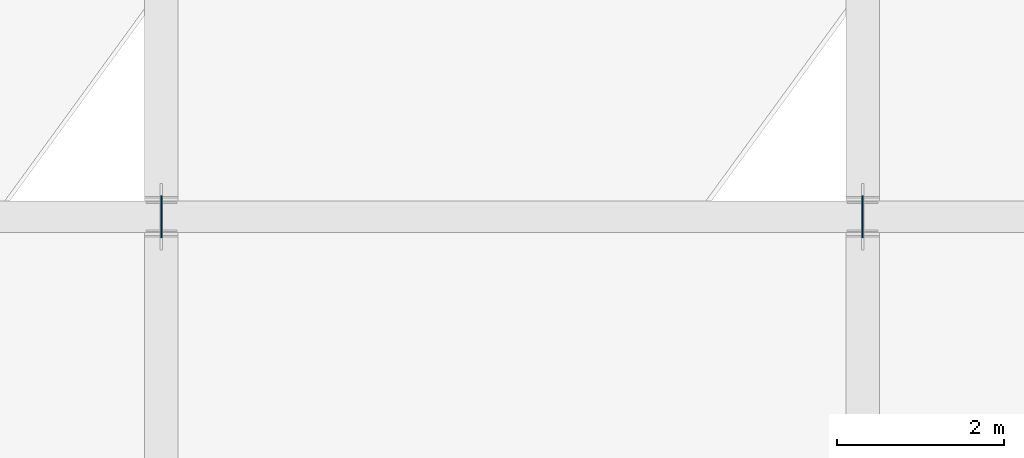
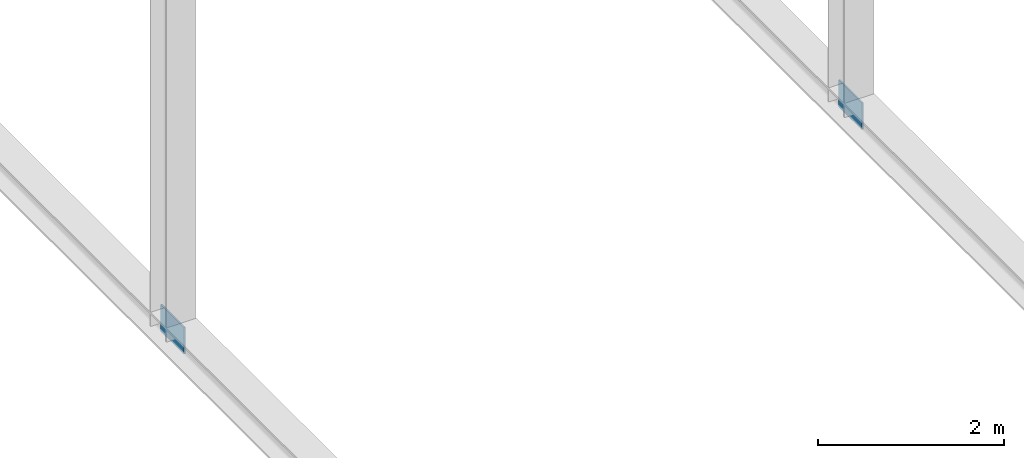
# One storey, part 8 of 13: 2 plates.
"""IFC4 building model written with IfcOpenShell, lengths in metres."""

from ifc_helpers import new_model, si_unit, direction, frame, origin, origin_2d, place, context, subcontext, project, spatial, rectangle, extrude, material, layer, layer_set, type_object, element, save


model = new_model("IFC4")

# Units and contexts
model_context = context("Model", 3, precision=1e-05, world=origin(), true_north=direction((0.0, 1.0)))
body_context = subcontext(model_context, "Body", "Model", "MODEL_VIEW")
ifc_project = project(units=[si_unit("LENGTHUNIT", "METRE"), si_unit("AREAUNIT", "SQUARE_METRE"), si_unit("VOLUMEUNIT", "CUBIC_METRE"), si_unit("PLANEANGLEUNIT", "RADIAN"), si_unit("MASSUNIT", "GRAM", prefix="KILO")], contexts=[model_context])

# Site, building, storey
site_placement = place(None, origin())
site = spatial("IfcSite", under=ifc_project, at=site_placement, CompositionType="ELEMENT")
building_placement = place(site_placement, origin())
building = spatial("IfcBuilding", under=site, at=building_placement, Name="Calvrana Isthmian Art Gallery", CompositionType="ELEMENT")
storey_placement = place(building_placement, frame((0.0, 0.0, 29.39990234375)))
storey = spatial("IfcBuildingStorey", under=building, at=storey_placement, Name="RF", CompositionType="ELEMENT", Elevation=29.39990234375)

# Plates
ifc_material = material(Name="Steel ASTM A572 Gr 50", Category="steel")
ifc_layer = layer(ifc_material, 0.02001953125, Name="Steel ASTM A572 Gr 50")
ifc_layer_set = layer_set([ifc_layer], Name="Steel ASTM A572 Gr 50")
plate_type = type_object("IfcPlateType", Name="PL-SPLICE-20", PredefinedType="SHEET", material=ifc_layer_set)
for number, where, z_axis, x_axis, name in (
    (1, (38.39990234375, 34.199951171875, -0.935546875), (0.0, 0.0, 1.0), (1.0, 0.0, 0.0), "Folded plate tie splice plate 06"),
    (2, (46.800048828125, 34.199951171875, -0.935546875), (0.0, 0.0, 1.0), (1.0, 0.0, 0.0), "Folded plate tie splice plate 07"),
):
    element("IfcPlate", number, at=place(storey_placement, frame(where, z_axis=z_axis, x_axis=x_axis)), inside=storey, type_object=plate_type, Name=name, PredefinedType="SHEET", context=body_context, shape_type="SweptSolid", body=[
        extrude(rectangle(XDim=0.02001953125, YDim=0.5, at=origin_2d()), origin(), (0.0, 0.0, 1.0), 0.35009765625),
    ])

save(model, "model.ifc")
